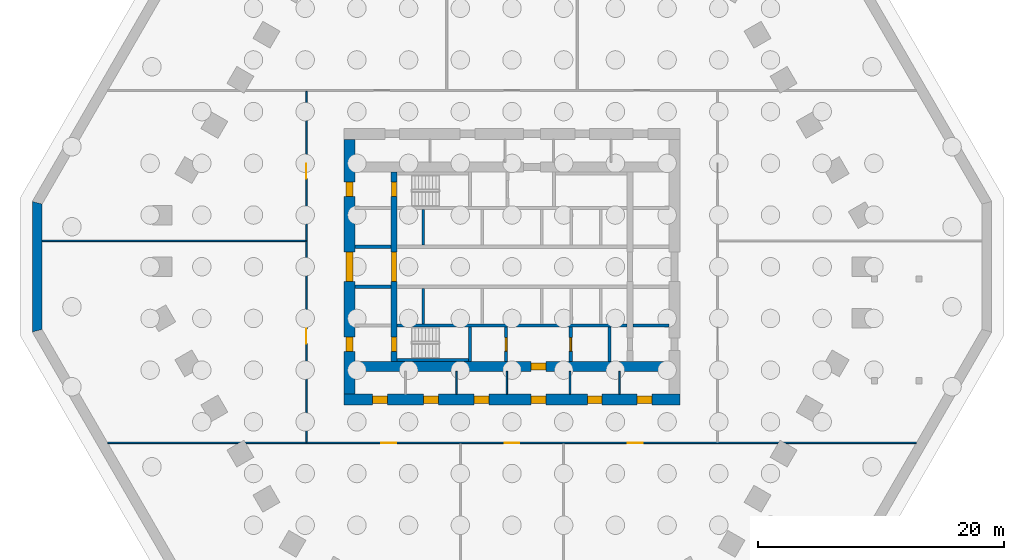
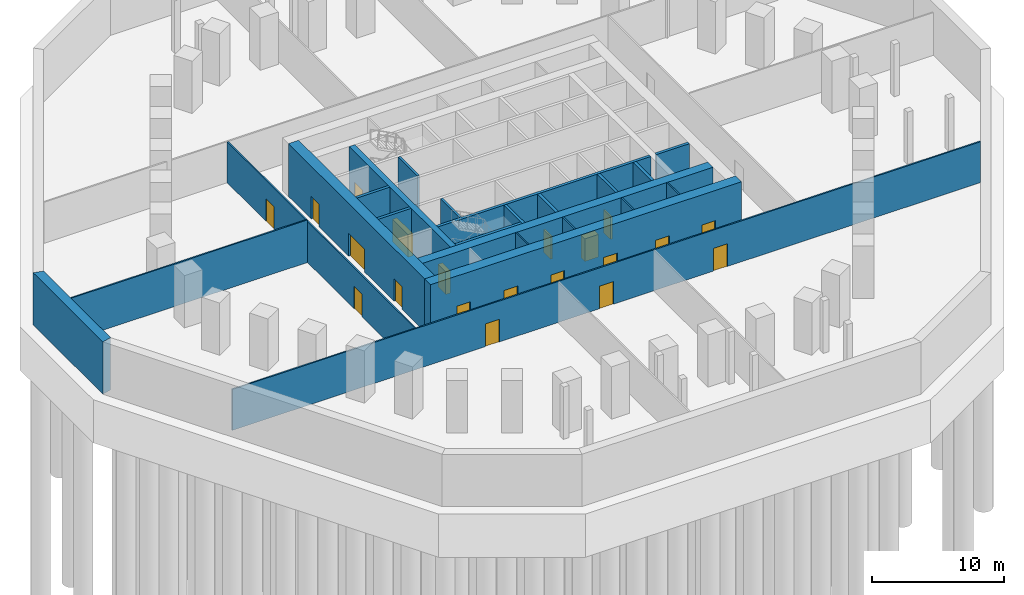
# One storey, part 3 of 6: 23 walls, 20 doors, 20 openings.
"""IFC4 building model written with IfcOpenShell, lengths in metres."""

import ifcopenshell
import ifcopenshell.guid

model = None  # the IFC model being written
_history = None  # IfcOwnerHistory: only IFC2X3 demands one
_inside = {}  # id of a spatial element -> (the spatial element, [elements in it])
_under = {}  # id of a project, library or spatial element -> (it, [spatial elements below it])
_declared = {}  # id of a project -> (the project, [libraries it declares])
_typed = {}  # id of a type object -> (the type object, [elements of that type])
_made_of = {}  # id of a material, layer set ... -> (it, [elements and type objects made of it])


def new_model(schema):
    """Start an empty IFC model of exactly this schema.

    Asked for "IFC4X3", IfcOpenShell would pick the latest addendum, in which some entities
    have other attributes; the version numbers below select the first issue.
    IFC2X3 requires an IfcOwnerHistory on every rooted entity: one is made here for all.
    """
    global model, _history
    if schema == "IFC4X3":
        model = ifcopenshell.file(schema_version=(4, 3, 0, 0))
    else:
        model = ifcopenshell.file(schema=schema)
    _inside.clear()
    _under.clear()
    _declared.clear()
    _typed.clear()
    _made_of.clear()
    _history = None
    if model.schema == "IFC2X3":
        org = make("IfcOrganization", Name="unknown")
        user = make(
            "IfcPersonAndOrganization",
            ThePerson=make("IfcPerson", FamilyName="unknown"),
            TheOrganization=org,
        )
        app = make(
            "IfcApplication",
            ApplicationDeveloper=org,
            Version="unknown",
            ApplicationFullName="unknown",
            ApplicationIdentifier="unknown",
        )
        _history = make(
            "IfcOwnerHistory",
            OwningUser=user,
            OwningApplication=app,
            ChangeAction="ADDED",
            CreationDate=0,
        )
    return model


def make(cls, **values):
    """One entity of the class cls with the attributes given. An attribute that is None is left unset."""
    return model.create_entity(
        cls, **{name: value for name, value in values.items() if value is not None}
    )


def rooted(cls, **values):
    """An entity with a GlobalId (a new one), such as an element, a storey or a relation."""
    return make(cls, GlobalId=ifcopenshell.guid.new(), OwnerHistory=_history, **values)


def si_unit(unit_type, name, prefix=None):
    """IfcSIUnit, for example si_unit("LENGTHUNIT", "METRE", prefix="MILLI")."""
    return make("IfcSIUnit", UnitType=unit_type, Prefix=prefix, Name=name)


def assignment(units):
    """IfcUnitAssignment: the units of a project."""
    return None if units is None else make("IfcUnitAssignment", Units=units)


def point(xyz):
    """IfcCartesianPoint."""
    return None if xyz is None else make("IfcCartesianPoint", Coordinates=xyz)


def direction(xyz):
    """IfcDirection."""
    return None if xyz is None else make("IfcDirection", DirectionRatios=xyz)


def frame(location, z_axis=None, x_axis=None):
    """IfcAxis2Placement3D, a coordinate frame: its origin and axes. An axis left out is left unset."""
    return make(
        "IfcAxis2Placement3D",
        Location=point(location),
        Axis=direction(z_axis),
        RefDirection=direction(x_axis),
    )


def frame_2d(location, x_axis=None):
    """IfcAxis2Placement2D, a coordinate frame in the plane: its origin and x axis."""
    return make(
        "IfcAxis2Placement2D", Location=point(location), RefDirection=direction(x_axis)
    )


def origin():
    """The frame at (0, 0, 0) with its axes left unset."""
    return frame((0.0, 0.0, 0.0))


def place(relative_to, where):
    """IfcLocalPlacement: puts the frame where relative to a parent placement (None: the world)."""
    return make(
        "IfcLocalPlacement", PlacementRelTo=relative_to, RelativePlacement=where
    )


def context(
    kind, dimensions, precision=None, world=None, true_north=None, identifier=None
):
    """IfcGeometricRepresentationContext, for example the 3D "Model" context."""
    return make(
        "IfcGeometricRepresentationContext",
        ContextIdentifier=identifier,
        ContextType=kind,
        CoordinateSpaceDimension=dimensions,
        Precision=precision,
        WorldCoordinateSystem=world,
        TrueNorth=true_north,
    )


def subcontext(parent, identifier, kind, view, scale=None):
    """IfcGeometricRepresentationSubContext, for example "Body" below "Model"."""
    return make(
        "IfcGeometricRepresentationSubContext",
        ContextIdentifier=identifier,
        ContextType=kind,
        ParentContext=parent,
        TargetScale=scale,
        TargetView=view,
    )


def project(units=None, contexts=None):
    """IfcProject with its units and contexts."""
    return rooted(
        "IfcProject",
        Name="project",
        RepresentationContexts=contexts,
        UnitsInContext=assignment(units),
    )


def spatial(cls, under=None, at=None, **own):
    """A site, building, storey or space (cls), placed at a placement, below another one or the project."""
    s = rooted(cls, ObjectPlacement=at, **own)
    if under is not None:
        _under.setdefault(under.id(), (under, []))[1].append(s)
    return s


def polyline(points):
    """IfcPolyline through the points."""
    return make("IfcPolyline", Points=[point(p) for p in points])


def profile(cls, at=None, kind="AREA", **sizes):
    """A parametric profile (cls). Its sizes go by their IFC names, for example OverallWidth=200.0."""
    return make(cls, ProfileType=kind, Position=at, **sizes)


def rectangle(**sizes):
    """IfcRectangleProfileDef."""
    return profile("IfcRectangleProfileDef", **sizes)


def outline(outer, holes=None, kind="AREA"):
    """IfcArbitraryClosedProfileDef: a profile drawn as a closed curve; with holes, ...WithVoids."""
    if holes is None:
        return make("IfcArbitraryClosedProfileDef", ProfileType=kind, OuterCurve=outer)
    return make(
        "IfcArbitraryProfileDefWithVoids",
        ProfileType=kind,
        OuterCurve=outer,
        InnerCurves=holes,
    )


def extrude(swept, where, along, depth):
    """IfcExtrudedAreaSolid: the profile swept, set in the frame where, extruded along a direction by depth."""
    return make(
        "IfcExtrudedAreaSolid",
        SweptArea=swept,
        Position=where,
        ExtrudedDirection=direction(along),
        Depth=depth,
    )


def shape(context_of_items, identifier, shape_type, items):
    """IfcShapeRepresentation: the items that make up one representation, for example the "Body"."""
    return make(
        "IfcShapeRepresentation",
        ContextOfItems=context_of_items,
        RepresentationIdentifier=identifier,
        RepresentationType=shape_type,
        Items=items,
    )


def material(Name=None, Category=None):
    """IfcMaterial."""
    return make("IfcMaterial", Name=Name, Category=Category)


def layer(
    of_material, thickness, ventilated=None, Name=None, Category=None, Priority=None
):
    """IfcMaterialLayer: one layer of a wall or slab, of a material (None: an air gap)."""
    return make(
        "IfcMaterialLayer",
        Material=of_material,
        LayerThickness=thickness,
        IsVentilated=ventilated,
        Name=Name,
        Category=Category,
        Priority=Priority,
    )


def layer_set(layers, Name=None):
    """IfcMaterialLayerSet."""
    return make("IfcMaterialLayerSet", MaterialLayers=layers, LayerSetName=Name)


def made_of(thing, what):
    """Note that an element or type object is made of a material, layer set ...; save() writes the relation."""
    if what is not None:
        _made_of.setdefault(what.id(), (what, []))[1].append(thing)
    return thing


def type_object(cls, material=None, **own):
    """A type object (cls), such as IfcWallType, which elements share."""
    return made_of(rooted(cls, **own), material)


def element(
    cls,
    number,
    at=None,
    inside=None,
    cuts=None,
    type_object=None,
    material=None,
    context=None,
    identifier="Body",
    shape_type=None,
    held_by="IfcProductDefinitionShape",
    body=None,
    shapes=None,
    **own,
):
    """One element of the class cls, such as IfcWall. Its Tag is "e" and its number.

    at: its placement. inside: the storey or other place that contains it. cuts: it is an
    opening in that element (IfcRelVoidsElement). A single representation is given by context,
    identifier, shape_type and body (its items); several are given by shapes. held_by: the class
    of the entity that holds the representations. save() writes the other relations.
    """
    e = rooted(cls, Tag="e%d" % number, ObjectPlacement=at, **own)
    if body is not None:
        shapes = [shape(context, identifier, shape_type, body)]
    if shapes is not None:
        e.Representation = make(held_by, Representations=shapes)
    if inside is not None:
        _inside.setdefault(inside.id(), (inside, []))[1].append(e)
    if cuts is not None:
        rooted(
            "IfcRelVoidsElement", RelatingBuildingElement=cuts, RelatedOpeningElement=e
        )
    if type_object is not None:
        _typed.setdefault(type_object.id(), (type_object, []))[1].append(e)
    return made_of(e, material)


def fill(opening, filler):
    """IfcRelFillsElement: the door or window that sits in an opening."""
    return rooted(
        "IfcRelFillsElement",
        RelatingOpeningElement=opening,
        RelatedBuildingElement=filler,
    )


def aggregate(whole, parts):
    """IfcRelAggregates: a whole, such as a stair, and the parts it consists of."""
    return rooted("IfcRelAggregates", RelatingObject=whole, RelatedObjects=parts)


def save(model, path):
    """Write the relations noted so far, then the file.

    IfcRelAggregates (storeys below a building ...), IfcRelContainedInSpatialStructure (elements
    in a storey), IfcRelDefinesByType, IfcRelAssociatesMaterial and IfcRelDeclares: one each for
    every whole, place, type object, material and project.
    """
    for whole, parts in _under.values():
        aggregate(whole, parts)
    for where, things in _inside.values():
        rooted(
            "IfcRelContainedInSpatialStructure",
            RelatedElements=things,
            RelatingStructure=where,
        )
    for kind, things in _typed.values():
        rooted("IfcRelDefinesByType", RelatedObjects=things, RelatingType=kind)
    for what, things in _made_of.values():
        rooted("IfcRelAssociatesMaterial", RelatedObjects=things, RelatingMaterial=what)
    for by, libraries in _declared.values():
        rooted("IfcRelDeclares", RelatingContext=by, RelatedDefinitions=libraries)
    model.write(path)


model = new_model("IFC4")

# Units and contexts
model_context = context("Model", 3, precision=1e-05, world=origin(), true_north=direction((0.0, 1.0)))
body_context = subcontext(model_context, "Body", "Model", "MODEL_VIEW")
ifc_project = project(units=[si_unit("LENGTHUNIT", "METRE"), si_unit("AREAUNIT", "SQUARE_METRE"), si_unit("VOLUMEUNIT", "CUBIC_METRE"), si_unit("PLANEANGLEUNIT", "RADIAN"), si_unit("MASSUNIT", "GRAM", prefix="KILO")], contexts=[model_context])

# Site, building, storey
site_placement = place(None, origin())
site = spatial("IfcSite", under=ifc_project, at=site_placement, CompositionType="ELEMENT")
building_placement = place(site_placement, origin())
building = spatial("IfcBuilding", under=site, at=building_placement, Name="Frailejon Research Tower", CompositionType="ELEMENT")
storey_placement = place(building_placement, frame((0.0, 0.0, -5.199951171875)))
storey = spatial("IfcBuildingStorey", under=building, at=storey_placement, Name="B1", CompositionType="ELEMENT", Elevation=-5.199951171875)

# Walls
ifc_material_1 = material(Name="Concrete C50/60", Category="concrete")
ifc_layer_1 = layer(ifc_material_1, 0.800048828125)
ifc_layer_set_1 = layer_set([ifc_layer_1], Name="Basement wall 800")
wall_type_1 = type_object("IfcWallType", Name="Basement wall 800", PredefinedType="SOLIDWALL", material=ifc_layer_set_1)
wall_1_placement = place(storey_placement, origin())
element("IfcWall", 1, at=wall_1_placement, inside=storey, type_object=wall_type_1, Name="Basement retaining wall", PredefinedType="SOLIDWALL", context=body_context, shape_type="SweptSolid", body=[
    extrude(outline(polyline([(-38.96923828125, 5.30322265625), (-38.96923828125, -5.30322265625), (-38.169189453125, -5.089111328125), (-38.169189453125, 5.089111328125), (-38.96923828125, 5.30322265625)])), origin(), (0.0, 0.0, 1.0), 4.849853515625),
])
ifc_material_2 = material(Name="Plasterboard on steel studs", Category="steel")
ifc_layer_2 = layer(ifc_material_2, 0.125)
ifc_layer_set_2 = layer_set([ifc_layer_2], Name="Core partition 125")
wall_type_2 = type_object("IfcWallType", Name="Core partition 125", PredefinedType="PARTITIONING", material=ifc_layer_set_2)
for number, where, z_axis, x_axis, name in (
    (2, (-4.52490234375, -10.35009765625, 0.0), (0.0, 0.0, 1.0), (0.0, 1.0, 0.0), "Core partition"),
    (3, (-0.41259765625, -10.35009765625, 0.0), (0.0, 0.0, 1.0), (0.0, 1.0, 0.0), "Core partition"),
    (4, (4.71240234375, -10.35009765625, 0.0), (0.0, 0.0, 1.0), (0.0, 1.0, 0.0), "Core partition"),
    (5, (8.731201171875, -10.35009765625, 0.0), (0.0, 0.0, 1.0), (0.0, 1.0, 0.0), "Core partition"),
):
    element("IfcWall", number, at=place(storey_placement, frame(where, z_axis=z_axis, x_axis=x_axis)), inside=storey, type_object=wall_type_2, Name=name, PredefinedType="PARTITIONING", context=body_context, shape_type="SweptSolid", body=[
        extrude(rectangle(XDim=1.85009765625, YDim=0.125, at=frame_2d((0.925048828125, 0.0))), origin(), (0.0, 0.0, 1.0), 4.89990234375),
    ])

# Wall, openings, doors
wall_2_placement = place(storey_placement, frame((-32.843994140625, -14.3125, 0.0), z_axis=(0.0, 0.0, 1.0), x_axis=(1.0, 0.0, 0.0)))
wall_2 = element("IfcWall", 6, at=wall_2_placement, inside=storey, type_object=wall_type_2, Name="Core partition", PredefinedType="PARTITIONING", context=body_context, shape_type="SweptSolid", body=[
    extrude(rectangle(XDim=65.68798828125, YDim=0.125, at=frame_2d((32.843994140625, 0.0))), origin(), (0.0, 0.0, 1.0), 3.800048828125),
])
opening_1_placement = place(wall_2_placement, frame((22.23779296875, 0.0, 0.0)))
opening_1 = element("IfcOpeningElement", 7, at=opening_1_placement, cuts=wall_2, Name="Opening D6", PredefinedType="OPENING", context=body_context, shape_type="SweptSolid", body=[
    extrude(rectangle(XDim=1.199951171875, YDim=2.10009765625, at=frame_2d((0.60009765625, 1.050048828125))), frame((0.0, 0.072509765625, 0.0), z_axis=(0.0, -1.0, 0.0), x_axis=(1.0, 0.0, 0.0)), (0.0, 0.0, 1.0), 0.14501953125),
])
opening_2_placement = place(wall_2_placement, frame((32.243896484375, 0.0, 0.0)))
opening_2 = element("IfcOpeningElement", 8, at=opening_2_placement, cuts=wall_2, Name="Opening D6", PredefinedType="OPENING", context=body_context, shape_type="SweptSolid", body=[
    extrude(rectangle(XDim=1.199951171875, YDim=2.10009765625, at=frame_2d((0.60009765625, 1.050048828125))), frame((0.0, 0.072509765625, 0.0), z_axis=(0.0, -1.0, 0.0), x_axis=(1.0, 0.0, 0.0)), (0.0, 0.0, 1.0), 0.14501953125),
])
opening_3_placement = place(wall_2_placement, frame((42.250244140625, 0.0, 0.0)))
opening_3 = element("IfcOpeningElement", 9, at=opening_3_placement, cuts=wall_2, Name="Opening D6", PredefinedType="OPENING", context=body_context, shape_type="SweptSolid", body=[
    extrude(rectangle(XDim=1.199951171875, YDim=2.10009765625, at=frame_2d((0.60009765625, 1.050048828125))), frame((0.0, 0.072509765625, 0.0), z_axis=(0.0, -1.0, 0.0), x_axis=(1.0, 0.0, 0.0)), (0.0, 0.0, 1.0), 0.14501953125),
])
ifc_material_3 = material(Name="Steel", Category="steel")
door_type_1 = type_object("IfcDoorType", Name="Plant door", OperationType="SINGLE_SWING_LEFT", PredefinedType="DOOR", material=ifc_material_3)
door_1_placement = place(opening_1_placement, origin())
door_1 = element("IfcDoor", 10, at=door_1_placement, inside=storey, type_object=door_type_1, Name="Room door", OperationType="SINGLE_SWING_RIGHT", OverallHeight=2.10009765625, OverallWidth=1.199951171875, PredefinedType="DOOR", context=body_context, shape_type="SweptSolid", body=[
    extrude(rectangle(XDim=1.199951171875, YDim=2.10009765625, at=frame_2d((0.60009765625, 1.050048828125))), frame((0.0, 0.012451171875, 0.0), z_axis=(0.0, -1.0, 0.0), x_axis=(1.0, 0.0, 0.0)), (0.0, 0.0, 1.0), 0.02490234375),
])
fill(opening_1, door_1)
door_2_placement = place(opening_2_placement, origin())
door_2 = element("IfcDoor", 11, at=door_2_placement, inside=storey, type_object=door_type_1, Name="Room door", OperationType="SINGLE_SWING_LEFT", OverallHeight=2.10009765625, OverallWidth=1.199951171875, PredefinedType="DOOR", context=body_context, shape_type="SweptSolid", body=[
    extrude(rectangle(XDim=1.199951171875, YDim=2.10009765625, at=frame_2d((0.60009765625, 1.050048828125))), frame((0.0, 0.012451171875, 0.0), z_axis=(0.0, -1.0, 0.0), x_axis=(1.0, 0.0, 0.0)), (0.0, 0.0, 1.0), 0.02490234375),
])
fill(opening_2, door_2)
door_3_placement = place(opening_3_placement, origin())
door_3 = element("IfcDoor", 12, at=door_3_placement, inside=storey, type_object=door_type_1, Name="Room door", OperationType="SINGLE_SWING_RIGHT", OverallHeight=2.10009765625, OverallWidth=1.199951171875, PredefinedType="DOOR", context=body_context, shape_type="SweptSolid", body=[
    extrude(rectangle(XDim=1.199951171875, YDim=2.10009765625, at=frame_2d((0.60009765625, 1.050048828125))), frame((0.0, 0.012451171875, 0.0), z_axis=(0.0, -1.0, 0.0), x_axis=(1.0, 0.0, 0.0)), (0.0, 0.0, 1.0), 0.02490234375),
])
fill(opening_3, door_3)

wall_3_placement = place(storey_placement, frame((-16.71240234375, -14.25, 0.0), z_axis=(0.0, 0.0, 1.0), x_axis=(0.0, 1.0, 0.0)))
wall_3 = element("IfcWall", 13, at=wall_3_placement, inside=storey, type_object=wall_type_2, Name="Core partition", PredefinedType="PARTITIONING", context=body_context, shape_type="SweptSolid", body=[
    extrude(rectangle(XDim=28.5, YDim=0.125, at=frame_2d((14.25, 0.0))), origin(), (0.0, 0.0, 1.0), 3.800048828125),
])
opening_4_placement = place(wall_3_placement, frame((7.993896484375, 0.0, 0.0)))
opening_4 = element("IfcOpeningElement", 14, at=opening_4_placement, cuts=wall_3, Name="Opening D6", PredefinedType="OPENING", context=body_context, shape_type="SweptSolid", body=[
    extrude(rectangle(XDim=1.199951171875, YDim=2.10009765625, at=frame_2d((0.60009765625, 1.050048828125))), frame((0.0, 0.072509765625, 0.0), z_axis=(0.0, -1.0, 0.0), x_axis=(1.0, 0.0, 0.0)), (0.0, 0.0, 1.0), 0.14501953125),
])
opening_5_placement = place(wall_3_placement, frame((21.40625, 0.0, 0.0)))
opening_5 = element("IfcOpeningElement", 15, at=opening_5_placement, cuts=wall_3, Name="Opening D6", PredefinedType="OPENING", context=body_context, shape_type="SweptSolid", body=[
    extrude(rectangle(XDim=1.199951171875, YDim=2.10009765625, at=frame_2d((0.60009765625, 1.050048828125))), frame((0.0, 0.072509765625, 0.0), z_axis=(0.0, -1.0, 0.0), x_axis=(1.0, 0.0, 0.0)), (0.0, 0.0, 1.0), 0.14501953125),
])
door_4_placement = place(opening_4_placement, origin())
door_4 = element("IfcDoor", 16, at=door_4_placement, inside=storey, type_object=door_type_1, Name="Room door", OperationType="SINGLE_SWING_LEFT", OverallHeight=2.10009765625, OverallWidth=1.199951171875, PredefinedType="DOOR", context=body_context, shape_type="SweptSolid", body=[
    extrude(rectangle(XDim=1.199951171875, YDim=2.10009765625, at=frame_2d((0.60009765625, 1.050048828125))), frame((0.0, 0.012451171875, 0.0), z_axis=(0.0, -1.0, 0.0), x_axis=(1.0, 0.0, 0.0)), (0.0, 0.0, 1.0), 0.02490234375),
])
fill(opening_4, door_4)
door_5_placement = place(opening_5_placement, origin())
door_5 = element("IfcDoor", 17, at=door_5_placement, inside=storey, type_object=door_type_1, Name="Room door", OperationType="SINGLE_SWING_RIGHT", OverallHeight=2.10009765625, OverallWidth=1.199951171875, PredefinedType="DOOR", context=body_context, shape_type="SweptSolid", body=[
    extrude(rectangle(XDim=1.199951171875, YDim=2.10009765625, at=frame_2d((0.60009765625, 1.050048828125))), frame((0.0, 0.012451171875, 0.0), z_axis=(0.0, -1.0, 0.0), x_axis=(1.0, 0.0, 0.0)), (0.0, 0.0, 1.0), 0.02490234375),
])
fill(opening_5, door_5)

# Wall
wall_4_placement = place(storey_placement, frame((-38.169189453125, 2.10009765625, 0.0), z_axis=(0.0, 0.0, 1.0), x_axis=(1.0, 0.0, 0.0)))
element("IfcWall", 18, at=wall_4_placement, inside=storey, type_object=wall_type_2, Name="Core partition", PredefinedType="PARTITIONING", context=body_context, shape_type="SweptSolid", body=[
    extrude(rectangle(XDim=21.394287109375, YDim=0.125, at=frame_2d((10.697265625, 0.0))), origin(), (0.0, 0.0, 1.0), 3.949951171875),
])

# Wall, openings, doors
ifc_material_4 = material(Name="Concrete C70/85", Category="concrete")
ifc_layer_3 = layer(ifc_material_4, 0.5)
ifc_layer_set_3 = layer_set([ifc_layer_3], Name="Core shear wall 500 C70/85")
wall_type_3 = type_object("IfcWallType", Name="Core shear wall 500 C70/85", PredefinedType="SHEAR", material=ifc_layer_set_3)
wall_5_placement = place(storey_placement, frame((-9.60009765625, -7.699951171875, 0.0), z_axis=(0.0, 0.0, 1.0), x_axis=(0.0, 1.0, 0.0)))
wall_5 = element("IfcWall", 19, at=wall_5_placement, inside=storey, type_object=wall_type_3, Name="Core shear wall", PredefinedType="SHEAR", context=body_context, shape_type="SweptSolid", body=[
    extrude(rectangle(XDim=15.39990234375, YDim=0.5, at=frame_2d((7.699951171875, 0.0))), origin(), (0.0, 0.0, 1.0), 4.89990234375),
])
opening_6_placement = place(wall_5_placement, frame((6.5, 0.0, 0.0)))
opening_6 = element("IfcOpeningElement", 20, at=opening_6_placement, cuts=wall_5, Name="Opening D2", PredefinedType="OPENING", context=body_context, shape_type="SweptSolid", body=[
    extrude(rectangle(XDim=2.39990234375, YDim=2.10009765625, at=frame_2d((1.199951171875, 1.050048828125))), frame((0.0, 0.260009765625, 0.0), z_axis=(0.0, -1.0, 0.0), x_axis=(1.0, 0.0, 0.0)), (0.0, 0.0, 1.0), 0.52001953125),
])
opening_7_placement = place(wall_5_placement, frame((13.39990234375, 0.0, 0.0)))
opening_7 = element("IfcOpeningElement", 21, at=opening_7_placement, cuts=wall_5, Name="Opening D1", PredefinedType="OPENING", context=body_context, shape_type="SweptSolid", body=[
    extrude(rectangle(XDim=1.199951171875, YDim=2.10009765625, at=frame_2d((0.60009765625, 1.050048828125))), frame((0.0, 0.260009765625, 0.0), z_axis=(0.0, -1.0, 0.0), x_axis=(1.0, 0.0, 0.0)), (0.0, 0.0, 1.0), 0.52001953125),
])
opening_8_placement = place(wall_5_placement, frame((0.800048828125, 0.0, 0.0)))
opening_8 = element("IfcOpeningElement", 22, at=opening_8_placement, cuts=wall_5, Name="Opening D1", PredefinedType="OPENING", context=body_context, shape_type="SweptSolid", body=[
    extrude(rectangle(XDim=1.199951171875, YDim=2.10009765625, at=frame_2d((0.60009765625, 1.050048828125))), frame((0.0, 0.260009765625, 0.0), z_axis=(0.0, -1.0, 0.0), x_axis=(1.0, 0.0, 0.0)), (0.0, 0.0, 1.0), 0.52001953125),
])
ifc_material_5 = material(Name="Steel", Category="steel")
door_type_2 = type_object("IfcDoorType", Name="Lobby double door", OperationType="DOUBLE_DOOR_SINGLE_SWING", PredefinedType="DOOR", material=ifc_material_5)
door_6_placement = place(opening_6_placement, origin())
door_6 = element("IfcDoor", 23, at=door_6_placement, inside=storey, type_object=door_type_2, Name="Lobby door", OperationType="DOUBLE_DOOR_SINGLE_SWING", OverallHeight=2.10009765625, OverallWidth=2.39990234375, PredefinedType="DOOR", context=body_context, shape_type="SweptSolid", body=[
    extrude(rectangle(XDim=2.39990234375, YDim=2.10009765625, at=frame_2d((1.199951171875, 1.050048828125))), frame((0.0, 0.199951171875, 0.0), z_axis=(0.0, -1.0, 0.0), x_axis=(1.0, 0.0, 0.0)), (0.0, 0.0, 1.0), 0.39990234375),
])
fill(opening_6, door_6)
ifc_material_6 = material(Name="Steel", Category="steel")
door_type_3 = type_object("IfcDoorType", Name="Stair door", OperationType="SINGLE_SWING_LEFT", PredefinedType="DOOR", material=ifc_material_6)
door_7_placement = place(opening_7_placement, origin())
door_7 = element("IfcDoor", 24, at=door_7_placement, inside=storey, type_object=door_type_3, Name="Stair door ST1", OperationType="SINGLE_SWING_RIGHT", OverallHeight=2.10009765625, OverallWidth=1.199951171875, PredefinedType="DOOR", context=body_context, shape_type="SweptSolid", body=[
    extrude(rectangle(XDim=1.199951171875, YDim=2.10009765625, at=frame_2d((0.60009765625, 1.050048828125))), frame((0.0, 0.199951171875, 0.0), z_axis=(0.0, -1.0, 0.0), x_axis=(1.0, 0.0, 0.0)), (0.0, 0.0, 1.0), 0.39990234375),
])
fill(opening_7, door_7)
door_8_placement = place(opening_8_placement, origin())
door_8 = element("IfcDoor", 25, at=door_8_placement, inside=storey, type_object=door_type_3, Name="Stair door ST2", OperationType="SINGLE_SWING_RIGHT", OverallHeight=2.10009765625, OverallWidth=1.199951171875, PredefinedType="DOOR", context=body_context, shape_type="SweptSolid", body=[
    extrude(rectangle(XDim=1.199951171875, YDim=2.10009765625, at=frame_2d((0.60009765625, 1.050048828125))), frame((0.0, 0.199951171875, 0.0), z_axis=(0.0, -1.0, 0.0), x_axis=(1.0, 0.0, 0.0)), (0.0, 0.0, 1.0), 0.39990234375),
])
fill(opening_8, door_8)

# Wall, opening, door
ifc_material_7 = material(Name="Concrete C70/85", Category="concrete")
ifc_layer_4 = layer(ifc_material_7, 0.800048828125)
ifc_layer_set_4 = layer_set([ifc_layer_4], Name="Core shear wall 800 C70/85")
wall_type_4 = type_object("IfcWallType", Name="Core shear wall 800 C70/85", PredefinedType="SHEAR", material=ifc_layer_set_4)
wall_6_placement = place(storey_placement, frame((-12.75, -8.10009765625, 0.0), z_axis=(0.0, 0.0, 1.0), x_axis=(1.0, 0.0, 0.0)))
wall_6 = element("IfcWall", 26, at=wall_6_placement, inside=storey, type_object=wall_type_4, Name="Core shear wall", PredefinedType="SHEAR", context=body_context, shape_type="SweptSolid", body=[
    extrude(rectangle(XDim=25.5, YDim=0.800048828125, at=frame_2d((12.75, 0.0))), origin(), (0.0, 0.0, 1.0), 4.89990234375),
])
opening_9_placement = place(wall_6_placement, frame((14.300048828125, 0.0, 0.0)))
opening_9 = element("IfcOpeningElement", 27, at=opening_9_placement, cuts=wall_6, Name="Opening D3", PredefinedType="OPENING", context=body_context, shape_type="SweptSolid", body=[
    extrude(rectangle(XDim=1.199951171875, YDim=2.10009765625, at=frame_2d((0.60009765625, 1.050048828125))), frame((0.0, 0.409912109375, 0.0), z_axis=(0.0, -1.0, 0.0), x_axis=(1.0, 0.0, 0.0)), (0.0, 0.0, 1.0), 0.820068359375),
])
ifc_material_8 = material(Name="Steel", Category="steel")
door_type_4 = type_object("IfcDoorType", Name="Firefighting lobby door", OperationType="SINGLE_SWING_LEFT", PredefinedType="DOOR", material=ifc_material_8)
door_9_placement = place(opening_9_placement, origin())
door_9 = element("IfcDoor", 28, at=door_9_placement, inside=storey, type_object=door_type_4, Name="Firefighting lobby door", OperationType="SINGLE_SWING_RIGHT", OverallHeight=2.10009765625, OverallWidth=1.199951171875, PredefinedType="DOOR", context=body_context, shape_type="SweptSolid", body=[
    extrude(rectangle(XDim=1.199951171875, YDim=2.10009765625, at=frame_2d((0.60009765625, 1.050048828125))), frame((0.0, 0.300048828125, 0.0), z_axis=(0.0, -1.0, 0.0), x_axis=(1.0, 0.0, 0.0)), (0.0, 0.0, 1.0), 0.60009765625),
])
fill(opening_9, door_9)

# Wall, openings, doors
ifc_material_9 = material(Name="Concrete C70/85", Category="concrete")
ifc_layer_5 = layer(ifc_material_9, 0.89990234375)
ifc_layer_set_5 = layer_set([ifc_layer_5], Name="Core shear wall 900 C70/85")
wall_type_5 = type_object("IfcWallType", Name="Core shear wall 900 C70/85", PredefinedType="SHEAR", material=ifc_layer_set_5)
wall_7_placement = place(storey_placement, frame((-13.64990234375, -10.800048828125, 0.0), z_axis=(0.0, 0.0, 1.0), x_axis=(1.0, 0.0, 0.0)))
wall_7 = element("IfcWall", 29, at=wall_7_placement, inside=storey, type_object=wall_type_5, Name="Core shear wall", PredefinedType="SHEAR", context=body_context, shape_type="SweptSolid", body=[
    extrude(rectangle(XDim=27.2998046875, YDim=0.89990234375, at=frame_2d((13.64990234375, 0.0))), origin(), (0.0, 0.0, 1.0), 4.89990234375),
])
opening_10_placement = place(wall_7_placement, frame((2.324951171875, 0.0, 0.0)))
opening_10 = element("IfcOpeningElement", 30, at=opening_10_placement, cuts=wall_7, Name="Opening D6", PredefinedType="OPENING", context=body_context, shape_type="SweptSolid", body=[
    extrude(rectangle(XDim=1.199951171875, YDim=2.10009765625, at=frame_2d((0.60009765625, 1.050048828125))), frame((0.0, 0.4599609375, 0.0), z_axis=(0.0, -1.0, 0.0), x_axis=(1.0, 0.0, 0.0)), (0.0, 0.0, 1.0), 0.919921875),
])
opening_11_placement = place(wall_7_placement, frame((6.46875, 0.0, 0.0)))
opening_11 = element("IfcOpeningElement", 31, at=opening_11_placement, cuts=wall_7, Name="Opening D6", PredefinedType="OPENING", context=body_context, shape_type="SweptSolid", body=[
    extrude(rectangle(XDim=1.199951171875, YDim=2.10009765625, at=frame_2d((0.60009765625, 1.050048828125))), frame((0.0, 0.4599609375, 0.0), z_axis=(0.0, -1.0, 0.0), x_axis=(1.0, 0.0, 0.0)), (0.0, 0.0, 1.0), 0.919921875),
])
opening_12_placement = place(wall_7_placement, frame((10.581298828125, 0.0, 0.0)))
opening_12 = element("IfcOpeningElement", 32, at=opening_12_placement, cuts=wall_7, Name="Opening D6", PredefinedType="OPENING", context=body_context, shape_type="SweptSolid", body=[
    extrude(rectangle(XDim=1.199951171875, YDim=2.10009765625, at=frame_2d((0.60009765625, 1.050048828125))), frame((0.0, 0.4599609375, 0.0), z_axis=(0.0, -1.0, 0.0), x_axis=(1.0, 0.0, 0.0)), (0.0, 0.0, 1.0), 0.919921875),
])
opening_13_placement = place(wall_7_placement, frame((19.77197265625, 0.0, 0.0)))
opening_13 = element("IfcOpeningElement", 33, at=opening_13_placement, cuts=wall_7, Name="Opening D6", PredefinedType="OPENING", context=body_context, shape_type="SweptSolid", body=[
    extrude(rectangle(XDim=1.199951171875, YDim=2.10009765625, at=frame_2d((0.60009765625, 1.050048828125))), frame((0.0, 0.4599609375, 0.0), z_axis=(0.0, -1.0, 0.0), x_axis=(1.0, 0.0, 0.0)), (0.0, 0.0, 1.0), 0.919921875),
])
opening_14_placement = place(wall_7_placement, frame((23.822021484375, 0.0, 0.0)))
opening_14 = element("IfcOpeningElement", 34, at=opening_14_placement, cuts=wall_7, Name="Opening D6", PredefinedType="OPENING", context=body_context, shape_type="SweptSolid", body=[
    extrude(rectangle(XDim=1.199951171875, YDim=2.10009765625, at=frame_2d((0.60009765625, 1.050048828125))), frame((0.0, 0.4599609375, 0.0), z_axis=(0.0, -1.0, 0.0), x_axis=(1.0, 0.0, 0.0)), (0.0, 0.0, 1.0), 0.919921875),
])
opening_15_placement = place(wall_7_placement, frame((15.199951171875, 0.0, 0.0)))
opening_15 = element("IfcOpeningElement", 35, at=opening_15_placement, cuts=wall_7, Name="Opening D3", PredefinedType="OPENING", context=body_context, shape_type="SweptSolid", body=[
    extrude(rectangle(XDim=1.199951171875, YDim=2.10009765625, at=frame_2d((0.60009765625, 1.050048828125))), frame((0.0, 0.4599609375, 0.0), z_axis=(0.0, -1.0, 0.0), x_axis=(1.0, 0.0, 0.0)), (0.0, 0.0, 1.0), 0.919921875),
])
door_10_placement = place(opening_15_placement, origin())
door_10 = element("IfcDoor", 36, at=door_10_placement, inside=storey, type_object=door_type_4, Name="Passage door", OperationType="SINGLE_SWING_RIGHT", OverallHeight=2.10009765625, OverallWidth=1.199951171875, PredefinedType="DOOR", context=body_context, shape_type="SweptSolid", body=[
    extrude(rectangle(XDim=1.199951171875, YDim=2.10009765625, at=frame_2d((0.60009765625, 1.050048828125))), frame((0.0, 0.300048828125, 0.0), z_axis=(0.0, -1.0, 0.0), x_axis=(1.0, 0.0, 0.0)), (0.0, 0.0, 1.0), 0.60009765625),
])
fill(opening_15, door_10)
door_11_placement = place(opening_10_placement, origin())
door_11 = element("IfcDoor", 37, at=door_11_placement, inside=storey, type_object=door_type_1, Name="Room door", OperationType="SINGLE_SWING_LEFT", OverallHeight=2.10009765625, OverallWidth=1.199951171875, PredefinedType="DOOR", context=body_context, shape_type="SweptSolid", body=[
    extrude(rectangle(XDim=1.199951171875, YDim=2.10009765625, at=frame_2d((0.60009765625, 1.050048828125))), frame((0.0, 0.300048828125, 0.0), z_axis=(0.0, -1.0, 0.0), x_axis=(1.0, 0.0, 0.0)), (0.0, 0.0, 1.0), 0.60009765625),
])
fill(opening_10, door_11)
door_12_placement = place(opening_11_placement, origin())
door_12 = element("IfcDoor", 38, at=door_12_placement, inside=storey, type_object=door_type_1, Name="Room door", OperationType="SINGLE_SWING_RIGHT", OverallHeight=2.10009765625, OverallWidth=1.199951171875, PredefinedType="DOOR", context=body_context, shape_type="SweptSolid", body=[
    extrude(rectangle(XDim=1.199951171875, YDim=2.10009765625, at=frame_2d((0.60009765625, 1.050048828125))), frame((0.0, 0.300048828125, 0.0), z_axis=(0.0, -1.0, 0.0), x_axis=(1.0, 0.0, 0.0)), (0.0, 0.0, 1.0), 0.60009765625),
])
fill(opening_11, door_12)
door_13_placement = place(opening_12_placement, origin())
door_13 = element("IfcDoor", 39, at=door_13_placement, inside=storey, type_object=door_type_1, Name="Room door", OperationType="SINGLE_SWING_LEFT", OverallHeight=2.10009765625, OverallWidth=1.199951171875, PredefinedType="DOOR", context=body_context, shape_type="SweptSolid", body=[
    extrude(rectangle(XDim=1.199951171875, YDim=2.10009765625, at=frame_2d((0.60009765625, 1.050048828125))), frame((0.0, 0.300048828125, 0.0), z_axis=(0.0, -1.0, 0.0), x_axis=(1.0, 0.0, 0.0)), (0.0, 0.0, 1.0), 0.60009765625),
])
fill(opening_12, door_13)
door_14_placement = place(opening_13_placement, origin())
door_14 = element("IfcDoor", 40, at=door_14_placement, inside=storey, type_object=door_type_1, Name="Room door", OperationType="SINGLE_SWING_RIGHT", OverallHeight=2.10009765625, OverallWidth=1.199951171875, PredefinedType="DOOR", context=body_context, shape_type="SweptSolid", body=[
    extrude(rectangle(XDim=1.199951171875, YDim=2.10009765625, at=frame_2d((0.60009765625, 1.050048828125))), frame((0.0, 0.300048828125, 0.0), z_axis=(0.0, -1.0, 0.0), x_axis=(1.0, 0.0, 0.0)), (0.0, 0.0, 1.0), 0.60009765625),
])
fill(opening_13, door_14)
door_15_placement = place(opening_14_placement, origin())
door_15 = element("IfcDoor", 41, at=door_15_placement, inside=storey, type_object=door_type_1, Name="Room door", OperationType="SINGLE_SWING_LEFT", OverallHeight=2.10009765625, OverallWidth=1.199951171875, PredefinedType="DOOR", context=body_context, shape_type="SweptSolid", body=[
    extrude(rectangle(XDim=1.199951171875, YDim=2.10009765625, at=frame_2d((0.60009765625, 1.050048828125))), frame((0.0, 0.300048828125, 0.0), z_axis=(0.0, -1.0, 0.0), x_axis=(1.0, 0.0, 0.0)), (0.0, 0.0, 1.0), 0.60009765625),
])
fill(opening_14, door_15)

wall_8_placement = place(storey_placement, frame((-13.199951171875, -10.35009765625, 0.0), z_axis=(0.0, 0.0, 1.0), x_axis=(0.0, 1.0, 0.0)))
wall_8 = element("IfcWall", 42, at=wall_8_placement, inside=storey, type_object=wall_type_5, Name="Core shear wall", PredefinedType="SHEAR", context=body_context, shape_type="SweptSolid", body=[
    extrude(rectangle(XDim=20.7001953125, YDim=0.89990234375, at=frame_2d((10.35009765625, 0.0))), origin(), (0.0, 0.0, 1.0), 4.89990234375),
])
opening_16_placement = place(wall_8_placement, frame((9.14990234375, 0.0, 0.0)))
opening_16 = element("IfcOpeningElement", 43, at=opening_16_placement, cuts=wall_8, Name="Opening D2", PredefinedType="OPENING", context=body_context, shape_type="SweptSolid", body=[
    extrude(rectangle(XDim=2.39990234375, YDim=2.10009765625, at=frame_2d((1.199951171875, 1.050048828125))), frame((0.0, 0.4599609375, 0.0), z_axis=(0.0, -1.0, 0.0), x_axis=(1.0, 0.0, 0.0)), (0.0, 0.0, 1.0), 0.919921875),
])
opening_17_placement = place(wall_8_placement, frame((16.050048828125, 0.0, 0.0)))
opening_17 = element("IfcOpeningElement", 44, at=opening_17_placement, cuts=wall_8, Name="Opening D7", PredefinedType="OPENING", context=body_context, shape_type="SweptSolid", body=[
    extrude(rectangle(XDim=1.199951171875, YDim=2.10009765625, at=frame_2d((0.60009765625, 1.050048828125))), frame((0.0, 0.4599609375, 0.0), z_axis=(0.0, -1.0, 0.0), x_axis=(1.0, 0.0, 0.0)), (0.0, 0.0, 1.0), 0.919921875),
])
opening_18_placement = place(wall_8_placement, frame((3.449951171875, 0.0, 0.0)))
opening_18 = element("IfcOpeningElement", 45, at=opening_18_placement, cuts=wall_8, Name="Opening D7", PredefinedType="OPENING", context=body_context, shape_type="SweptSolid", body=[
    extrude(rectangle(XDim=1.199951171875, YDim=2.10009765625, at=frame_2d((0.60009765625, 1.050048828125))), frame((0.0, 0.4599609375, 0.0), z_axis=(0.0, -1.0, 0.0), x_axis=(1.0, 0.0, 0.0)), (0.0, 0.0, 1.0), 0.919921875),
])
door_16_placement = place(opening_16_placement, origin())
door_16 = element("IfcDoor", 46, at=door_16_placement, inside=storey, type_object=door_type_2, Name="Lobby door", OperationType="DOUBLE_DOOR_SINGLE_SWING", OverallHeight=2.10009765625, OverallWidth=2.39990234375, PredefinedType="DOOR", context=body_context, shape_type="SweptSolid", body=[
    extrude(rectangle(XDim=2.39990234375, YDim=2.10009765625, at=frame_2d((1.199951171875, 1.050048828125))), frame((0.0, 0.300048828125, 0.0), z_axis=(0.0, -1.0, 0.0), x_axis=(1.0, 0.0, 0.0)), (0.0, 0.0, 1.0), 0.60009765625),
])
fill(opening_16, door_16)
ifc_material_10 = material(Name="Steel", Category="steel")
door_type_5 = type_object("IfcDoorType", Name="Stair exit door", OperationType="SINGLE_SWING_LEFT", PredefinedType="DOOR", material=ifc_material_10)
door_17_placement = place(opening_17_placement, origin())
door_17 = element("IfcDoor", 47, at=door_17_placement, inside=storey, type_object=door_type_5, Name="Stair exit door ST1", OperationType="SINGLE_SWING_LEFT", OverallHeight=2.10009765625, OverallWidth=1.199951171875, PredefinedType="DOOR", context=body_context, shape_type="SweptSolid", body=[
    extrude(rectangle(XDim=1.199951171875, YDim=2.10009765625, at=frame_2d((0.60009765625, 1.050048828125))), frame((0.0, 0.300048828125, 0.0), z_axis=(0.0, -1.0, 0.0), x_axis=(1.0, 0.0, 0.0)), (0.0, 0.0, 1.0), 0.60009765625),
])
fill(opening_17, door_17)
door_18_placement = place(opening_18_placement, origin())
door_18 = element("IfcDoor", 48, at=door_18_placement, inside=storey, type_object=door_type_5, Name="Stair exit door ST2", OperationType="SINGLE_SWING_LEFT", OverallHeight=2.10009765625, OverallWidth=1.199951171875, PredefinedType="DOOR", context=body_context, shape_type="SweptSolid", body=[
    extrude(rectangle(XDim=1.199951171875, YDim=2.10009765625, at=frame_2d((0.60009765625, 1.050048828125))), frame((0.0, 0.300048828125, 0.0), z_axis=(0.0, -1.0, 0.0), x_axis=(1.0, 0.0, 0.0)), (0.0, 0.0, 1.0), 0.60009765625),
])
fill(opening_18, door_18)

# Walls
ifc_material_11 = material(Name="Concrete C70/85", Category="concrete")
ifc_layer_6 = layer(ifc_material_11, 0.199951171875)
ifc_layer_set_6 = layer_set([ifc_layer_6], Name="Shaft wall 200 C70/85")
wall_type_6 = type_object("IfcWallType", Name="Shaft wall 200 C70/85", PredefinedType="SOLIDWALL", material=ifc_layer_set_6)
for number, where, z_axis, x_axis, name in (
    (49, (-7.199951171875, 1.75, 0.0), (0.0, 0.0, 1.0), (0.0, 1.0, 0.0), "Shaft wall"),
    (50, (-7.199951171875, -4.64990234375, 0.0), (0.0, 0.0, 1.0), (0.0, 1.0, 0.0), "Shaft wall"),
):
    element("IfcWall", number, at=place(storey_placement, frame(where, z_axis=z_axis, x_axis=x_axis)), inside=storey, type_object=wall_type_6, Name=name, PredefinedType="SOLIDWALL", context=body_context, shape_type="SweptSolid", body=[
        extrude(rectangle(XDim=2.89990234375, YDim=0.199951171875, at=frame_2d((1.449951171875, 0.0))), origin(), (0.0, 0.0, 1.0), 4.89990234375),
    ])
ifc_material_12 = material(Name="Concrete C70/85", Category="concrete")
ifc_layer_7 = layer(ifc_material_12, 0.25)
ifc_layer_set_7 = layer_set([ifc_layer_7], Name="Shaft wall 250 C70/85")
wall_type_7 = type_object("IfcWallType", Name="Shaft wall 250 C70/85", PredefinedType="SOLIDWALL", material=ifc_layer_set_7)
for number, where, z_axis, x_axis, name in (
    (51, (-12.75, 1.625, 0.0), (0.0, 0.0, 1.0), (1.0, 0.0, 0.0), "Shaft wall"),
    (52, (-12.75, -1.625, 0.0), (0.0, 0.0, 1.0), (1.0, 0.0, 0.0), "Shaft wall"),
):
    element("IfcWall", number, at=place(storey_placement, frame(where, z_axis=z_axis, x_axis=x_axis)), inside=storey, type_object=wall_type_7, Name=name, PredefinedType="SOLIDWALL", context=body_context, shape_type="SweptSolid", body=[
        extrude(rectangle(XDim=2.89990234375, YDim=0.25, at=frame_2d((1.449951171875, 0.0))), origin(), (0.0, 0.0, 1.0), 4.89990234375),
    ])
wall_9_placement = place(storey_placement, frame((-9.35009765625, -4.77490234375, 0.0), z_axis=(0.0, 0.0, 1.0), x_axis=(1.0, 0.0, 0.0)))
element("IfcWall", 53, at=wall_9_placement, inside=storey, type_object=wall_type_7, Name="Shaft wall", PredefinedType="SOLIDWALL", context=body_context, shape_type="SweptSolid", body=[
    extrude(rectangle(XDim=18.7001953125, YDim=0.25, at=frame_2d((9.35009765625, 0.0))), origin(), (0.0, 0.0, 1.0), 4.89990234375),
])
wall_10_placement = place(storey_placement, frame((9.85009765625, -4.77490234375, 0.0), z_axis=(0.0, 0.0, 1.0), x_axis=(1.0, 0.0, 0.0)))
element("IfcWall", 54, at=wall_10_placement, inside=storey, type_object=wall_type_7, Name="Shaft wall", PredefinedType="SOLIDWALL", context=body_context, shape_type="SweptSolid", body=[
    extrude(rectangle(XDim=2.89990234375, YDim=0.25, at=frame_2d((1.449951171875, 0.0))), origin(), (0.0, 0.0, 1.0), 4.89990234375),
])
wall_11_placement = place(storey_placement, frame((-9.35009765625, -7.574951171875, 0.0), z_axis=(0.0, 0.0, 1.0), x_axis=(1.0, 0.0, 0.0)))
element("IfcWall", 55, at=wall_11_placement, inside=storey, type_object=wall_type_7, Name="Shaft wall", PredefinedType="SOLIDWALL", context=body_context, shape_type="SweptSolid", body=[
    extrude(rectangle(XDim=5.800048828125, YDim=0.25, at=frame_2d((2.89990234375, 0.0))), origin(), (0.0, 0.0, 1.0), 4.89990234375),
])
wall_12_placement = place(storey_placement, frame((-3.425048828125, -7.699951171875, 0.0), z_axis=(0.0, 0.0, 1.0), x_axis=(0.0, 1.0, 0.0)))
element("IfcWall", 56, at=wall_12_placement, inside=storey, type_object=wall_type_7, Name="Shaft wall", PredefinedType="SOLIDWALL", context=body_context, shape_type="SweptSolid", body=[
    extrude(rectangle(XDim=2.800048828125, YDim=0.25, at=frame_2d((1.39990234375, 0.0))), origin(), (0.0, 0.0, 1.0), 4.89990234375),
])

# Wall, opening, door
wall_13_placement = place(storey_placement, frame((-0.47509765625, -7.699951171875, 0.0), z_axis=(0.0, 0.0, 1.0), x_axis=(0.0, 1.0, 0.0)))
wall_13 = element("IfcWall", 57, at=wall_13_placement, inside=storey, type_object=wall_type_7, Name="Shaft wall", PredefinedType="SOLIDWALL", context=body_context, shape_type="SweptSolid", body=[
    extrude(rectangle(XDim=2.800048828125, YDim=0.25, at=frame_2d((1.39990234375, 0.0))), origin(), (0.0, 0.0, 1.0), 4.89990234375),
])
opening_19_placement = place(wall_13_placement, frame((0.85009765625, 0.0, 0.0)))
opening_19 = element("IfcOpeningElement", 58, at=opening_19_placement, cuts=wall_13, Name="Opening LD", PredefinedType="OPENING", context=body_context, shape_type="SweptSolid", body=[
    extrude(rectangle(XDim=1.10009765625, YDim=2.10009765625, at=frame_2d((0.550048828125, 1.050048828125))), frame((0.0, 0.135009765625, 0.0), z_axis=(0.0, -1.0, 0.0), x_axis=(1.0, 0.0, 0.0)), (0.0, 0.0, 1.0), 0.27001953125),
])
ifc_material_13 = material(Name="Steel", Category="steel")
door_type_6 = type_object("IfcDoorType", Name="Lift landing door", OperationType="DOUBLE_DOOR_SLIDING", PredefinedType="DOOR", material=ifc_material_13)
door_19_placement = place(opening_19_placement, origin())
door_19 = element("IfcDoor", 59, at=door_19_placement, inside=storey, type_object=door_type_6, Name="Lift landing door", OperationType="DOUBLE_DOOR_SLIDING", OverallHeight=2.10009765625, OverallWidth=1.10009765625, PredefinedType="DOOR", context=body_context, shape_type="SweptSolid", body=[
    extrude(rectangle(XDim=1.10009765625, YDim=2.10009765625, at=frame_2d((0.550048828125, 1.050048828125))), frame((0.0, 0.074951171875, 0.0), z_axis=(0.0, -1.0, 0.0), x_axis=(1.0, 0.0, 0.0)), (0.0, 0.0, 1.0), 0.14990234375),
])
fill(opening_19, door_19)

wall_14_placement = place(storey_placement, frame((4.77490234375, -7.699951171875, 0.0), z_axis=(0.0, 0.0, 1.0), x_axis=(0.0, 1.0, 0.0)))
wall_14 = element("IfcWall", 60, at=wall_14_placement, inside=storey, type_object=wall_type_7, Name="Shaft wall", PredefinedType="SOLIDWALL", context=body_context, shape_type="SweptSolid", body=[
    extrude(rectangle(XDim=2.800048828125, YDim=0.25, at=frame_2d((1.39990234375, 0.0))), origin(), (0.0, 0.0, 1.0), 4.89990234375),
])
opening_20_placement = place(wall_14_placement, frame((0.85009765625, 0.0, 0.0)))
opening_20 = element("IfcOpeningElement", 61, at=opening_20_placement, cuts=wall_14, Name="Opening LD", PredefinedType="OPENING", context=body_context, shape_type="SweptSolid", body=[
    extrude(rectangle(XDim=1.10009765625, YDim=2.10009765625, at=frame_2d((0.550048828125, 1.050048828125))), frame((0.0, 0.135009765625, 0.0), z_axis=(0.0, -1.0, 0.0), x_axis=(1.0, 0.0, 0.0)), (0.0, 0.0, 1.0), 0.27001953125),
])
door_20_placement = place(opening_20_placement, origin())
door_20 = element("IfcDoor", 62, at=door_20_placement, inside=storey, type_object=door_type_6, Name="Lift landing door", OperationType="DOUBLE_DOOR_SLIDING", OverallHeight=2.10009765625, OverallWidth=1.10009765625, PredefinedType="DOOR", context=body_context, shape_type="SweptSolid", body=[
    extrude(rectangle(XDim=1.10009765625, YDim=2.10009765625, at=frame_2d((0.550048828125, 1.050048828125))), frame((0.0, 0.074951171875, 0.0), z_axis=(0.0, -1.0, 0.0), x_axis=(1.0, 0.0, 0.0)), (0.0, 0.0, 1.0), 0.14990234375),
])
fill(opening_20, door_20)

# Wall
wall_15_placement = place(storey_placement, frame((7.925048828125, -7.699951171875, 0.0), z_axis=(0.0, 0.0, 1.0), x_axis=(0.0, 1.0, 0.0)))
element("IfcWall", 63, at=wall_15_placement, inside=storey, type_object=wall_type_7, Name="Shaft wall", PredefinedType="SOLIDWALL", context=body_context, shape_type="SweptSolid", body=[
    extrude(rectangle(XDim=2.800048828125, YDim=0.25, at=frame_2d((1.39990234375, 0.0))), origin(), (0.0, 0.0, 1.0), 4.89990234375),
])

save(model, "model.ifc")
